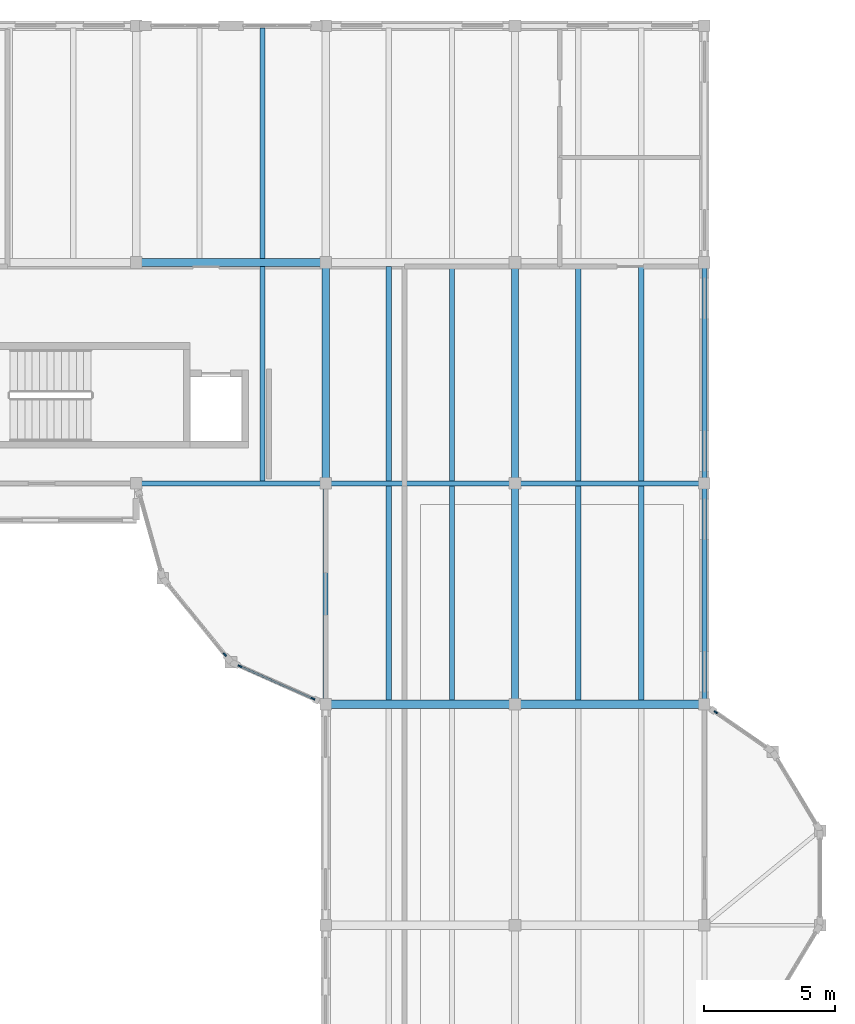
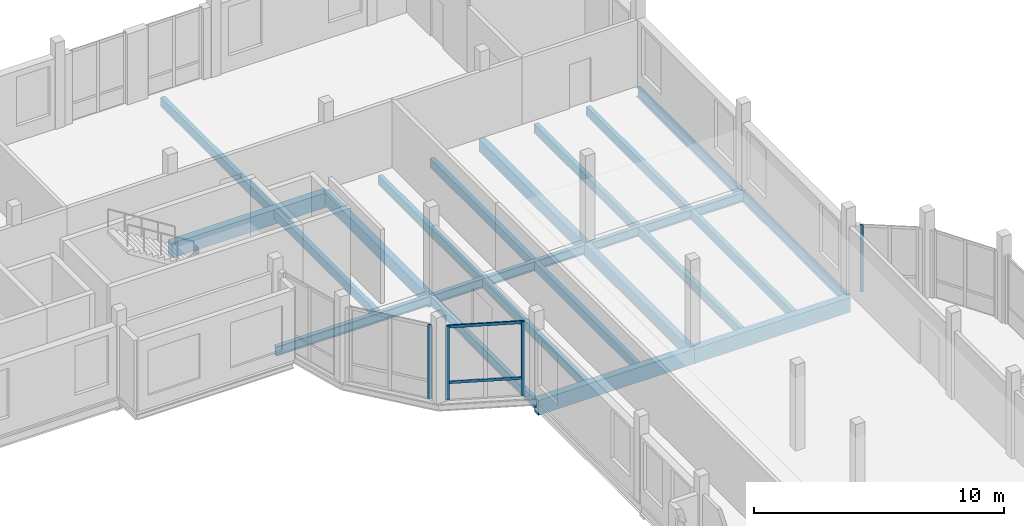
# One storey, part 27 of 81: 22 beams, 6 members, 3 elements without a shape of their own.
"""IFC4 building model written with IfcOpenShell, lengths in metres."""

from ifc_helpers import new_model, si_unit, direction, frame, origin, origin_2d, place, context, subcontext, project, spatial, rectangle, i_section, extrude, material, material_profile, profile_set, type_object, element, aggregate, save


model = new_model("IFC4")

# Units and contexts
model_context = context("Model", 3, precision=1e-05, world=origin(), true_north=direction((0.0, 1.0)))
body_context = subcontext(model_context, "Body", "Model", "MODEL_VIEW")
ifc_project = project(units=[si_unit("LENGTHUNIT", "METRE"), si_unit("AREAUNIT", "SQUARE_METRE"), si_unit("VOLUMEUNIT", "CUBIC_METRE"), si_unit("PLANEANGLEUNIT", "RADIAN"), si_unit("MASSUNIT", "GRAM", prefix="KILO")], contexts=[model_context])

# Site, building, storey
site_placement = place(None, origin())
site = spatial("IfcSite", under=ifc_project, at=site_placement, CompositionType="ELEMENT")
building_placement = place(site_placement, origin())
building = spatial("IfcBuilding", under=site, at=building_placement, Name="Kahlenmark Community Centre", CompositionType="ELEMENT")
storey_placement = place(building_placement, frame((0.0, 0.0, 9.60009765625)))
storey = spatial("IfcBuildingStorey", under=building, at=storey_placement, Name="L02", CompositionType="ELEMENT", Elevation=9.60009765625)

# Beams
ifc_material_1 = material(Name="Glulam GL32h", Category="wood")
ifc_material_profile_1 = material_profile(ifc_material_1, rectangle(XDim=0.280029296875, YDim=0.60009765625, at=origin_2d()), Name="GL32h 280x600")
ifc_profile_set_1 = profile_set([ifc_material_profile_1], Name="Glulam GL32h")
beam_type_1 = type_object("IfcBeamType", Name="BT-BEAM-GL32h280x600", PredefinedType="BEAM", material=ifc_profile_set_1)
for number, where, z_axis, x_axis, name in (
    (1, (72.39990234375, 97.60009765625, -0.52001953125), (0.0, 1.0, 0.0), (-1.0, 0.0, 0.0), "L02 beam BG-GL32h280x600"),
    (2, (79.60009765625, 97.60009765625, -0.52001953125), (0.0, 1.0, 0.0), (-1.0, 0.0, 0.0), "L02 beam BG-GL32h280x600"),
):
    element("IfcBeam", number, at=place(storey_placement, frame(where, z_axis=z_axis, x_axis=x_axis)), inside=storey, type_object=beam_type_1, Name=name, PredefinedType="BEAM", context=body_context, shape_type="SweptSolid", body=[
        extrude(rectangle(XDim=0.280029296875, YDim=0.60009765625, at=origin_2d()), origin(), (0.0, 0.0, 1.0), 8.39990234375),
    ])
beam_1_placement = place(storey_placement, frame((79.60009765625, 89.199951171875, -0.52001953125), z_axis=(0.0, 1.0, 0.0), x_axis=(-1.0, 0.0, 0.0)))
element("IfcBeam", 3, at=beam_1_placement, inside=storey, type_object=beam_type_1, Name="L02 beam BG-GL32h280x600", PredefinedType="BEAM", context=body_context, shape_type="SweptSolid", body=[
    extrude(rectangle(XDim=0.280029296875, YDim=0.60009765625, at=origin_2d()), origin(), (0.0, 0.0, 1.0), 8.400146484375),
])
ifc_material_profile_2 = material_profile(ifc_material_1, rectangle(XDim=0.320068359375, YDim=0.719970703125, at=origin_2d()), Name="GL32h 320x720")
ifc_profile_set_2 = profile_set([ifc_material_profile_2], Name="Glulam GL32h")
beam_type_2 = type_object("IfcBeamType", Name="BT-BEAM-GL32h320x720", PredefinedType="BEAM", material=ifc_profile_set_2)
beam_2_placement = place(storey_placement, frame((65.199951171875, 106.0, -0.580078125), z_axis=(1.0, 0.0, 0.0), x_axis=(0.0, 1.0, 0.0)))
element("IfcBeam", 4, at=beam_2_placement, inside=storey, type_object=beam_type_2, Name="L02 beam BG-GL32h320x720", PredefinedType="BEAM", context=body_context, shape_type="SweptSolid", body=[
    extrude(rectangle(XDim=0.320068359375, YDim=0.719970703125, at=origin_2d()), origin(), (0.0, 0.0, 1.0), 7.199951171875),
])
beam_3_placement = place(storey_placement, frame((72.39990234375, 89.199951171875, -0.580078125), z_axis=(1.0, 0.0, 0.0), x_axis=(0.0, 1.0, 0.0)))
element("IfcBeam", 5, at=beam_3_placement, inside=storey, type_object=beam_type_2, Name="L02 beam BG-GL32h320x720", PredefinedType="BEAM", context=body_context, shape_type="SweptSolid", body=[
    extrude(rectangle(XDim=0.320068359375, YDim=0.719970703125, at=origin_2d()), origin(), (0.0, 0.0, 1.0), 7.2001953125),
])
beam_4_placement = place(storey_placement, frame((79.60009765625, 89.199951171875, -0.580078125), z_axis=(1.0, 0.0, 0.0), x_axis=(0.0, 1.0, 0.0)))
element("IfcBeam", 6, at=beam_4_placement, inside=storey, type_object=beam_type_2, Name="L02 beam BG-GL32h320x720", PredefinedType="BEAM", context=body_context, shape_type="SweptSolid", body=[
    extrude(rectangle(XDim=0.320068359375, YDim=0.719970703125, at=origin_2d()), origin(), (0.0, 0.0, 1.0), 7.199951171875),
])
ifc_material_2 = material(Name="Glulam GL28h", Category="wood")
ifc_material_profile_3 = material_profile(ifc_material_2, rectangle(XDim=0.199951171875, YDim=0.43994140625, at=origin_2d()), Name="GL28h 200x440")
ifc_profile_set_3 = profile_set([ifc_material_profile_3], Name="Glulam GL28h")
beam_type_3 = type_object("IfcBeamType", Name="BT-JOIST-GL28h200x440", PredefinedType="JOIST", material=ifc_profile_set_3)
beam_5_placement = place(storey_placement, frame((70.0, 97.693115234375, -0.440185546875), z_axis=(0.0, 1.0, 0.0), x_axis=(-1.0, 0.0, 0.0)))
element("IfcBeam", 7, at=beam_5_placement, inside=storey, type_object=beam_type_3, Name="L02 joist BJ-GL28h200x440", PredefinedType="JOIST", context=body_context, shape_type="SweptSolid", body=[
    extrude(rectangle(XDim=0.199951171875, YDim=0.43994140625, at=origin_2d()), origin(), (0.0, 0.0, 1.0), 8.14892578125),
])
beam_6_placement = place(storey_placement, frame((70.0, 106.157958984375, -0.440185546875), z_axis=(0.0, 1.0, 0.0), x_axis=(-1.0, 0.0, 0.0)))
element("IfcBeam", 8, at=beam_6_placement, inside=storey, type_object=beam_type_3, Name="L02 joist BJ-GL28h200x440", PredefinedType="JOIST", context=body_context, shape_type="SweptSolid", body=[
    extrude(rectangle(XDim=0.199951171875, YDim=0.43994140625, at=origin_2d()), origin(), (0.0, 0.0, 1.0), 8.7490234375),
])
for number, where, z_axis, x_axis, name in (
    (9, (74.800048828125, 97.693115234375, -0.440185546875), (0.0, 1.0, 0.0), (-1.0, 0.0, 0.0), "L02 joist BJ-GL28h200x440"),
    (10, (77.199951171875, 97.693115234375, -0.440185546875), (0.0, 1.0, 0.0), (-1.0, 0.0, 0.0), "L02 joist BJ-GL28h200x440"),
    (11, (82.0, 97.693115234375, -0.440185546875), (0.0, 1.0, 0.0), (-1.0, 0.0, 0.0), "L02 joist BJ-GL28h200x440"),
    (12, (84.39990234375, 97.693115234375, -0.440185546875), (0.0, 1.0, 0.0), (-1.0, 0.0, 0.0), "L02 joist BJ-GL28h200x440"),
):
    element("IfcBeam", number, at=place(storey_placement, frame(where, z_axis=z_axis, x_axis=x_axis)), inside=storey, type_object=beam_type_3, Name=name, PredefinedType="JOIST", context=body_context, shape_type="SweptSolid", body=[
        extrude(rectangle(XDim=0.199951171875, YDim=0.43994140625, at=origin_2d()), origin(), (0.0, 0.0, 1.0), 8.14892578125),
    ])
for number, where, z_axis, x_axis, name in (
    (13, (74.800048828125, 89.35791015625, -0.440185546875), (0.0, 1.0, 0.0), (-1.0, 0.0, 0.0), "L02 joist BJ-GL28h200x440"),
    (14, (77.199951171875, 89.35791015625, -0.440185546875), (0.0, 1.0, 0.0), (-1.0, 0.0, 0.0), "L02 joist BJ-GL28h200x440"),
    (15, (82.0, 89.35791015625, -0.440185546875), (0.0, 1.0, 0.0), (-1.0, 0.0, 0.0), "L02 joist BJ-GL28h200x440"),
    (16, (84.39990234375, 89.35791015625, -0.440185546875), (0.0, 1.0, 0.0), (-1.0, 0.0, 0.0), "L02 joist BJ-GL28h200x440"),
):
    element("IfcBeam", number, at=place(storey_placement, frame(where, z_axis=z_axis, x_axis=x_axis)), inside=storey, type_object=beam_type_3, Name=name, PredefinedType="JOIST", context=body_context, shape_type="SweptSolid", body=[
        extrude(rectangle(XDim=0.199951171875, YDim=0.43994140625, at=origin_2d()), origin(), (0.0, 0.0, 1.0), 8.149169921875),
    ])
ifc_material_3 = material(Name="Steel S355", Category="steel")
ifc_material_profile_4 = material_profile(ifc_material_3, i_section(OverallWidth=0.18994140625, OverallDepth=0.449951171875, WebThickness=0.009521484375, FlangeThickness=0.0146484375, at=origin_2d()), Name="IPE 450")
ifc_profile_set_4 = profile_set([ifc_material_profile_4], Name="Steel S355")
beam_type_4 = type_object("IfcBeamType", Name="BT-SPANDREL-IPE450", PredefinedType="SPANDREL", material=ifc_profile_set_4)
beam_7_placement = place(storey_placement, frame((65.199951171875, 97.60009765625, -0.445068359375), z_axis=(1.0, 0.0, 0.0), x_axis=(0.0, 1.0, 0.0)))
element("IfcBeam", 17, at=beam_7_placement, inside=storey, type_object=beam_type_4, Name="L02 spandrel SP-IPE450", PredefinedType="SPANDREL", context=body_context, shape_type="SweptSolid", body=[
    extrude(i_section(OverallWidth=0.18994140625, OverallDepth=0.449951171875, WebThickness=0.009521484375, FlangeThickness=0.0146484375, at=origin_2d()), origin(), (0.0, 0.0, 1.0), 7.199951171875),
])
beam_8_placement = place(storey_placement, frame((72.39990234375, 97.60009765625, -0.445068359375), z_axis=(1.0, 0.0, 0.0), x_axis=(0.0, 1.0, 0.0)))
element("IfcBeam", 18, at=beam_8_placement, inside=storey, type_object=beam_type_4, Name="L02 spandrel SP-IPE450", PredefinedType="SPANDREL", context=body_context, shape_type="SweptSolid", body=[
    extrude(i_section(OverallWidth=0.18994140625, OverallDepth=0.449951171875, WebThickness=0.009521484375, FlangeThickness=0.0146484375, at=origin_2d()), origin(), (0.0, 0.0, 1.0), 7.2001953125),
])
beam_9_placement = place(storey_placement, frame((79.60009765625, 97.60009765625, -0.445068359375), z_axis=(1.0, 0.0, 0.0), x_axis=(0.0, 1.0, 0.0)))
element("IfcBeam", 19, at=beam_9_placement, inside=storey, type_object=beam_type_4, Name="L02 spandrel SP-IPE450", PredefinedType="SPANDREL", context=body_context, shape_type="SweptSolid", body=[
    extrude(i_section(OverallWidth=0.18994140625, OverallDepth=0.449951171875, WebThickness=0.009521484375, FlangeThickness=0.0146484375, at=origin_2d()), origin(), (0.0, 0.0, 1.0), 7.199951171875),
])
beam_10_placement = place(storey_placement, frame((86.800048828125, 97.60009765625, -0.445068359375), z_axis=(0.0, 1.0, 0.0), x_axis=(-1.0, 0.0, 0.0)))
element("IfcBeam", 20, at=beam_10_placement, inside=storey, type_object=beam_type_4, Name="L02 spandrel SP-IPE450", PredefinedType="SPANDREL", context=body_context, shape_type="SweptSolid", body=[
    extrude(i_section(OverallWidth=0.18994140625, OverallDepth=0.449951171875, WebThickness=0.009521484375, FlangeThickness=0.0146484375, at=origin_2d()), origin(), (0.0, 0.0, 1.0), 8.39990234375),
])
for number, where, z_axis, x_axis, name in (
    (21, (72.39990234375, 89.199951171875, -0.445068359375), (0.0, 1.0, 0.0), (-1.0, 0.0, 0.0), "L02 spandrel SP-IPE450"),
    (22, (86.800048828125, 89.199951171875, -0.445068359375), (0.0, 1.0, 0.0), (-1.0, 0.0, 0.0), "L02 spandrel SP-IPE450"),
):
    element("IfcBeam", number, at=place(storey_placement, frame(where, z_axis=z_axis, x_axis=x_axis)), inside=storey, type_object=beam_type_4, Name=name, PredefinedType="SPANDREL", context=body_context, shape_type="SweptSolid", body=[
        extrude(i_section(OverallWidth=0.18994140625, OverallDepth=0.449951171875, WebThickness=0.009521484375, FlangeThickness=0.0146484375, at=origin_2d()), origin(), (0.0, 0.0, 1.0), 8.400146484375),
    ])

# Curtain wall, member
ifc_material_4 = material(Name="Anodised aluminium unitised curtain wall", Category="aluminium")
curtain_wall_type_1 = type_object("IfcCurtainWallType", Name="CWT-UNIT-232X327", PredefinedType="USERDEFINED", material=ifc_material_4)
curtain_wall_1_placement = place(storey_placement, origin())
curtain_wall_1 = element("IfcCurtainWall", 23, at=curtain_wall_1_placement, inside=storey, type_object=curtain_wall_type_1, Name="Unitised curtain wall CW-160", ObjectType="UNITISED CURTAIN WALL", PredefinedType="USERDEFINED")
ifc_material_5 = material(Name="Anodised aluminium 6063-T6", Category="aluminium")
ifc_material_profile_5 = material_profile(ifc_material_5, rectangle(XDim=0.06005859375, YDim=0.139892578125, at=origin_2d()), Name="ALU MULLION 60x140")
ifc_profile_set_5 = profile_set([ifc_material_profile_5], Name="Anodised aluminium 6063-T6")
member_type_1 = type_object("IfcMemberType", Name="MT-MUL-140", PredefinedType="MULLION", material=ifc_profile_set_5)
member_1_placement = place(storey_placement, frame((87.23583984375, 88.898193359375, 0.0), z_axis=(0.0, 0.0, 1.0), x_axis=(-0.56921208065, -0.822190736534, 0.0)))
member_1 = element("IfcMember", 24, at=member_1_placement, type_object=member_type_1, Name="CW-160 mullion 3", PredefinedType="MULLION", context=body_context, shape_type="SweptSolid", body=[
    extrude(rectangle(XDim=0.06005859375, YDim=0.139892578125, at=origin_2d()), origin(), (0.0, 0.0, 1.0), 3.27001953125),
])
aggregate(curtain_wall_1, [member_1])

curtain_wall_type_2 = type_object("IfcCurtainWallType", Name="CWT-UNIT-344X361", PredefinedType="USERDEFINED", material=ifc_material_4)
curtain_wall_2_placement = place(storey_placement, origin())
curtain_wall_2 = element("IfcCurtainWall", 25, at=curtain_wall_2_placement, inside=storey, type_object=curtain_wall_type_2, Name="Unitised curtain wall CW-180", ObjectType="UNITISED CURTAIN WALL", PredefinedType="USERDEFINED")
ifc_material_profile_6 = material_profile(ifc_material_5, rectangle(XDim=0.06005859375, YDim=0.159912109375, at=origin_2d()), Name="ALU MULLION 60x160")
ifc_profile_set_6 = profile_set([ifc_material_profile_6], Name="Anodised aluminium 6063-T6")
member_type_2 = type_object("IfcMemberType", Name="MT-MUL-160", PredefinedType="MULLION", material=ifc_profile_set_6)
member_2_placement = place(storey_placement, frame((68.566650390625, 91.087158203125, 0.0), z_axis=(0.0, 0.0, 1.0), x_axis=(0.776109145231, 0.63059860029, 0.0)))
member_2 = element("IfcMember", 26, at=member_2_placement, type_object=member_type_2, Name="CW-180 mullion 3", PredefinedType="MULLION", context=body_context, shape_type="SweptSolid", body=[
    extrude(rectangle(XDim=0.06005859375, YDim=0.159912109375, at=origin_2d()), origin(), (0.0, 0.0, 1.0), 3.60986328125),
])
aggregate(curtain_wall_2, [member_2])

# Curtain wall, members
curtain_wall_type_3 = type_object("IfcCurtainWallType", Name="CWT-UNIT-310X361", PredefinedType="USERDEFINED", material=ifc_material_4)
curtain_wall_3_placement = place(storey_placement, origin())
curtain_wall_3 = element("IfcCurtainWall", 27, at=curtain_wall_3_placement, inside=storey, type_object=curtain_wall_type_3, Name="Unitised curtain wall CW-181", ObjectType="UNITISED CURTAIN WALL", PredefinedType="USERDEFINED")
member_3_placement = place(storey_placement, frame((69.13818359375, 90.649658203125, 0.0), z_axis=(0.0, 0.0, 1.0), x_axis=(0.406125882643, 0.913817141143, 0.0)))
member_3 = element("IfcMember", 28, at=member_3_placement, type_object=member_type_2, Name="CW-181 mullion 1", PredefinedType="MULLION", context=body_context, shape_type="SweptSolid", body=[
    extrude(rectangle(XDim=0.06005859375, YDim=0.159912109375, at=origin_2d()), origin(), (0.0, 0.0, 1.0), 3.60986328125),
])
member_4_placement = place(storey_placement, frame((71.915771484375, 89.415283203125, 0.0), z_axis=(0.0, 0.0, 1.0), x_axis=(0.406125882643, 0.913817141143, 0.0)))
member_4 = element("IfcMember", 29, at=member_4_placement, type_object=member_type_2, Name="CW-181 mullion 3", PredefinedType="MULLION", context=body_context, shape_type="SweptSolid", body=[
    extrude(rectangle(XDim=0.06005859375, YDim=0.159912109375, at=origin_2d()), origin(), (0.0, 0.0, 1.0), 3.60986328125),
])
ifc_material_profile_7 = material_profile(ifc_material_5, rectangle(XDim=0.06005859375, YDim=0.139892578125, at=origin_2d()), Name="ALU TRANSOM 60x140")
ifc_profile_set_7 = profile_set([ifc_material_profile_7], Name="Anodised aluminium 6063-T6")
member_type_3 = type_object("IfcMemberType", Name="MT-TRN-140", PredefinedType="USERDEFINED", material=ifc_profile_set_7)
member_5_placement = place(storey_placement, frame((69.13818359375, 90.649658203125, 0.849853515625), z_axis=(0.913824797144, -0.406108655565, 0.0), x_axis=(0.406108655565, 0.913824797144, 0.0)))
member_5 = element("IfcMember", 30, at=member_5_placement, type_object=member_type_3, Name="CW-181 transom 2", ObjectType="TRANSOM", PredefinedType="USERDEFINED", context=body_context, shape_type="SweptSolid", body=[
    extrude(rectangle(XDim=0.06005859375, YDim=0.139892578125, at=origin_2d()), origin(), (0.0, 0.0, 1.0), 3.03955078125),
])
member_6_placement = place(storey_placement, frame((69.13818359375, 90.649658203125, 3.56982421875), z_axis=(0.913824797144, -0.406108655565, 0.0), x_axis=(0.406108655565, 0.913824797144, 0.0)))
member_6 = element("IfcMember", 31, at=member_6_placement, type_object=member_type_3, Name="CW-181 transom 3", ObjectType="TRANSOM", PredefinedType="USERDEFINED", context=body_context, shape_type="SweptSolid", body=[
    extrude(rectangle(XDim=0.06005859375, YDim=0.139892578125, at=origin_2d()), origin(), (0.0, 0.0, 1.0), 3.03955078125),
])
aggregate(curtain_wall_3, [member_3, member_4, member_5, member_6])

save(model, "model.ifc")
